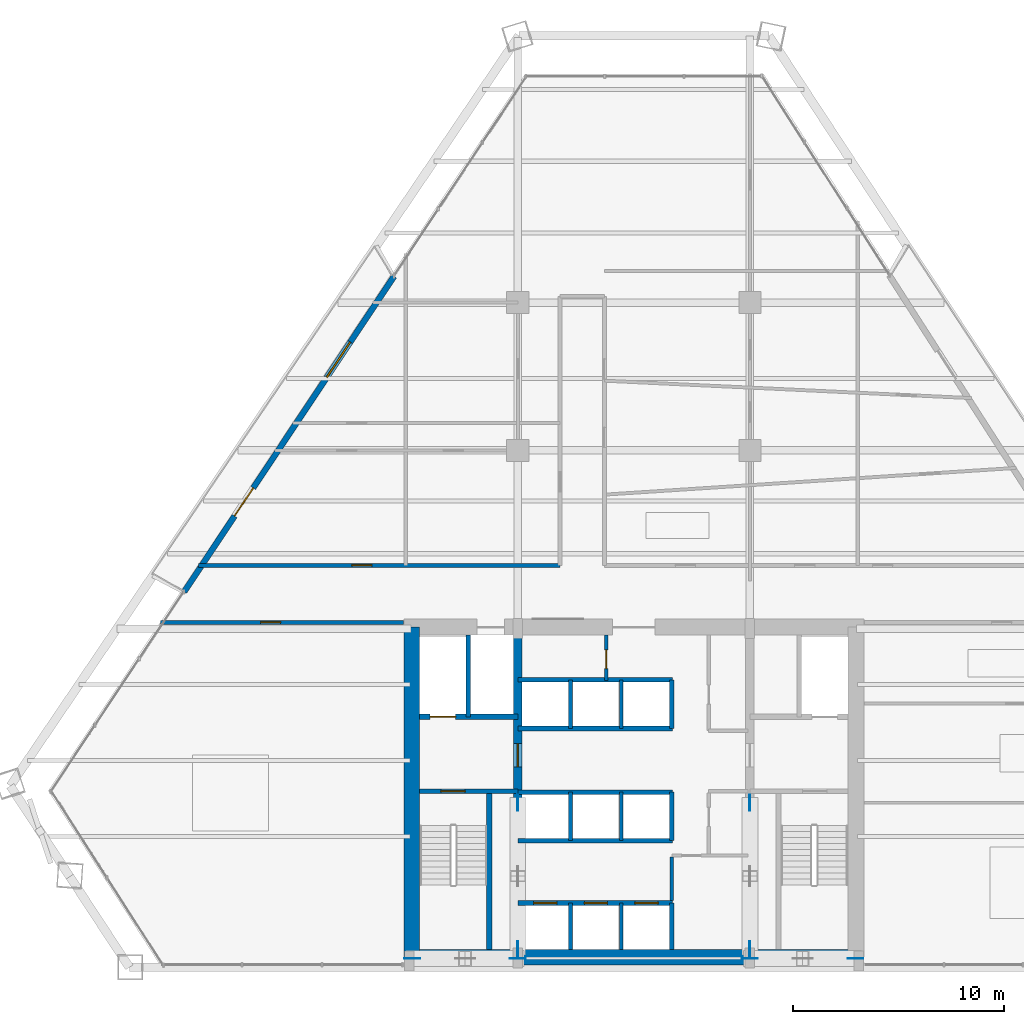
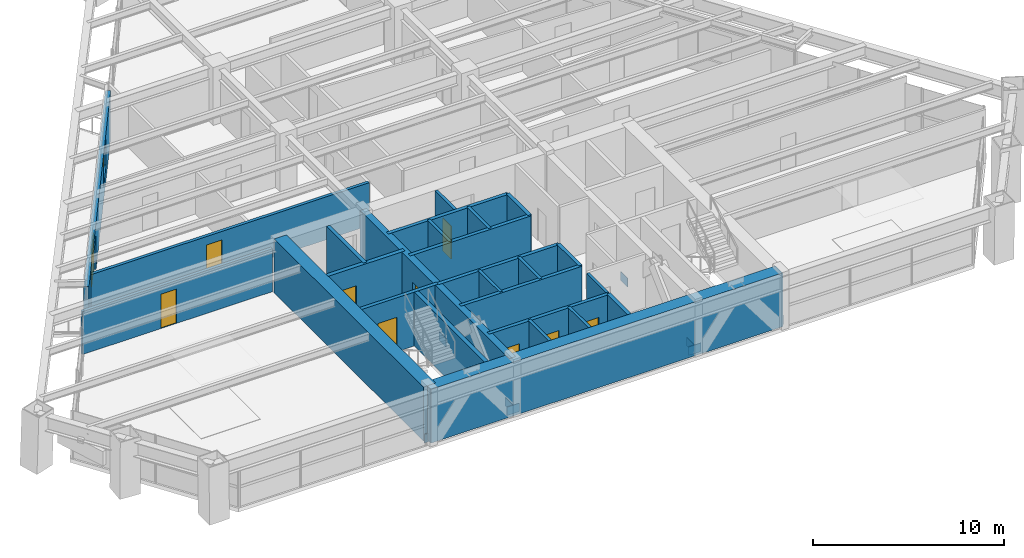
# One storey, part 10 of 14: 26 walls, 10 doors, 8 plates, 1 window, 11 openings.
"""IFC4 building model written with IfcOpenShell, lengths in metres."""

from ifc_helpers import new_model, si_unit, direction, frame, frame_2d, origin, origin_2d, place, context, subcontext, project, spatial, rectangle, extrude, source, transform, mapped, material, layer, layer_set, type_object, type_shapes, element, fill, save


model = new_model("IFC4")

# Units and contexts
model_context = context("Model", 3, precision=1e-05, world=origin(), true_north=direction((0.0, 1.0)))
body_context = subcontext(model_context, "Body", "Model", "MODEL_VIEW")
ifc_project = project(units=[si_unit("LENGTHUNIT", "METRE"), si_unit("AREAUNIT", "SQUARE_METRE"), si_unit("VOLUMEUNIT", "CUBIC_METRE"), si_unit("PLANEANGLEUNIT", "RADIAN"), si_unit("MASSUNIT", "GRAM", prefix="KILO")], contexts=[model_context])

# Site, building, storey
site_placement = place(None, origin())
site = spatial("IfcSite", under=ifc_project, at=site_placement, CompositionType="ELEMENT")
building_placement = place(site_placement, origin())
building = spatial("IfcBuilding", under=site, at=building_placement, Name="Varnakhor Terracotta Tower", CompositionType="ELEMENT")
storey_placement = place(building_placement, frame((0.0, 0.0, 113.60009765625)))
storey = spatial("IfcBuildingStorey", under=building, at=storey_placement, Name="L28", CompositionType="ELEMENT", Elevation=113.60009765625)

# Plates
ifc_material_1 = material(Name="Steel S460", Category="steel")
ifc_layer_1 = layer(ifc_material_1, 0.050048828125, Name="Steel S460")
ifc_layer_set_1 = layer_set([ifc_layer_1], Name="Steel S460")
plate_type = type_object("IfcPlateType", Name="PLT-GUSSET-50", PredefinedType="USERDEFINED", material=ifc_layer_set_1)
shared_shape_1 = source(origin(), body_context, "Body", "SweptSolid", [
    extrude(rectangle(XDim=0.75, YDim=0.0400390625, at=origin_2d()), origin(), (0.0, 0.0, 1.0), 0.550048828125),
])
type_shapes(plate_type, [shared_shape_1])
for number, where, z_axis, x_axis, name in (
    (1, (-10.5, 0.419921875, -0.09521484375), (0.0, 0.0, 1.0), (1.0, 0.0, 0.0), "L28 Core Brace Embed Plate CSWA"),
    (2, (-5.5, 0.419921875, -0.09521484375), (0.0, 0.0, 1.0), (1.0, 0.0, 0.0), "L28 Core Brace Embed Plate CSWB"),
    (3, (5.5, 0.419921875, -0.09521484375), (0.0, 0.0, 1.0), (1.0, 0.0, 0.0), "L28 Core Brace Embed Plate CSEA"),
    (4, (10.5, 0.419921875, -0.09521484375), (0.0, 0.0, 1.0), (1.0, 0.0, 0.0), "L28 Core Brace Embed Plate CSEB"),
    (5, (-5.5, 0.85009765625, -0.09521484375), (0.0, 0.0, 1.0), (0.0, 1.0, 0.0), "L28 Core Brace Embed Plate CWWA"),
    (6, (-5.5, 7.800048828125, -0.09521484375), (0.0, 0.0, 1.0), (0.0, 1.0, 0.0), "L28 Core Brace Embed Plate CWWB"),
    (7, (5.5, 0.85009765625, -0.09521484375), (0.0, 0.0, 1.0), (0.0, 1.0, 0.0), "L28 Core Brace Embed Plate CWEA"),
    (8, (5.5, 7.800048828125, -0.09521484375), (0.0, 0.0, 1.0), (0.0, 1.0, 0.0), "L28 Core Brace Embed Plate CWEB"),
):
    element("IfcPlate", number, at=place(storey_placement, frame(where, z_axis=z_axis, x_axis=x_axis)), inside=storey, type_object=plate_type, Name=name, ObjectType="GUSSET PLATE", PredefinedType="USERDEFINED", context=body_context, shape_type="MappedRepresentation", body=[
        mapped(shared_shape_1, transform((0.0, 0.0, 0.0), scale=1.0)),
    ])

# Walls
ifc_material_2 = material(Name="Concrete C60/75", Category="concrete")
ifc_layer_2 = layer(ifc_material_2, 0.75, Name="Concrete C60/75")
ifc_layer_set_2 = layer_set([ifc_layer_2], Name="Concrete C60/75")
wall_type_1 = type_object("IfcWallType", Name="WAL-CORE-750", PredefinedType="SHEAR", material=ifc_layer_set_2)
wall_1_placement = place(storey_placement, frame((-10.64990234375, 0.47509765625, 0.0), z_axis=(0.0, 0.0, 1.0), x_axis=(1.0, 0.0, 0.0)))
element("IfcWall", 9, at=wall_1_placement, inside=storey, type_object=wall_type_1, Name="L28 South Core Shear Wall", PredefinedType="SHEAR", context=body_context, shape_type="SweptSolid", body=[
    extrude(rectangle(XDim=21.2998046875, YDim=0.75, at=frame_2d((10.64990234375, 0.0))), origin(), (0.0, 0.0, 1.0), 3.449951171875),
])
wall_2_placement = place(storey_placement, frame((-10.52490234375, 0.47509765625, 0.0), z_axis=(0.0, 0.0, 1.0), x_axis=(0.0, 1.0, 0.0)))
element("IfcWall", 10, at=wall_2_placement, inside=storey, type_object=wall_type_1, Name="L28 West Core Shear Wall", PredefinedType="SHEAR", context=body_context, shape_type="SweptSolid", body=[
    extrude(rectangle(XDim=15.64990234375, YDim=0.75, at=frame_2d((7.824951171875, 0.0))), origin(), (0.0, 0.0, 1.0), 3.449951171875),
])

# Wall, opening, door
ifc_material_3 = material(Name="Concrete C50/60", Category="concrete")
ifc_layer_3 = layer(ifc_material_3, 0.39990234375, Name="Concrete C50/60")
ifc_layer_set_3 = layer_set([ifc_layer_3], Name="Concrete C50/60")
wall_type_2 = type_object("IfcWallType", Name="WAL-CORE-WEB-400", PredefinedType="SHEAR", material=ifc_layer_set_3)
wall_3_placement = place(storey_placement, frame((-5.5, 0.47509765625, 0.0), z_axis=(0.0, 0.0, 1.0), x_axis=(0.0, 1.0, 0.0)))
wall_3 = element("IfcWall", 11, at=wall_3_placement, inside=storey, type_object=wall_type_2, Name="L28 West Core Web Shear Wall", PredefinedType="SHEAR", context=body_context, shape_type="SweptSolid", body=[
    extrude(rectangle(XDim=15.64990234375, YDim=0.39990234375, at=frame_2d((7.824951171875, 0.0))), origin(), (0.0, 0.0, 1.0), 3.449951171875),
])
opening_1_placement = place(wall_3_placement, frame((9.02490234375, 0.0, 0.0)))
opening_1 = element("IfcOpeningElement", 12, at=opening_1_placement, cuts=wall_3, Name="Opening DR-25", PredefinedType="OPENING", context=body_context, shape_type="SweptSolid", body=[
    extrude(rectangle(XDim=1.10009765625, YDim=2.199951171875, at=frame_2d((0.550048828125, 1.10009765625))), frame((0.0, 0.2099609375, 0.0), z_axis=(0.0, -1.0, 0.0), x_axis=(1.0, 0.0, 0.0)), (0.0, 0.0, 1.0), 0.419921875),
])
ifc_material_4 = material(Name="Firefighting Lobby Self-Closing Fire Door", Category="steel")
door_type_1 = type_object("IfcDoorType", Name="DR-FFL-1100X2200", OperationType="NOTDEFINED", PredefinedType="DOOR", material=ifc_material_4)
shared_shape_2 = source(origin(), body_context, "Body", "SweptSolid", [
    extrude(rectangle(XDim=1.10009765625, YDim=2.199951171875, at=frame_2d((0.550048828125, 1.10009765625))), frame((0.0, 0.02490234375, 0.0), z_axis=(0.0, -1.0, 0.0), x_axis=(1.0, 0.0, 0.0)), (0.0, 0.0, 1.0), 0.050048828125),
])
type_shapes(door_type_1, [shared_shape_2])
door_1_placement = place(opening_1_placement, origin())
door_1 = element("IfcDoor", 13, at=door_1_placement, inside=storey, type_object=door_type_1, Name="L28 West Firefighting Lobby Door", OperationType="SINGLE_SWING_RIGHT", OverallHeight=2.199951171875, OverallWidth=1.10009765625, PredefinedType="DOOR", context=body_context, shape_type="MappedRepresentation", body=[
    mapped(shared_shape_2, transform((0.0, 0.0, 0.0), scale=1.0)),
])
fill(opening_1, door_1)

ifc_material_5 = material(Name="Fire-Rated Gypsum Stud Partition", Category="gypsum")
ifc_layer_4 = layer(ifc_material_5, 0.18505859375, Name="Fire-Rated Gypsum Stud Partition")
ifc_layer_set_4 = layer_set([ifc_layer_4], Name="Fire-Rated Gypsum Stud Partition")
wall_type_3 = type_object("IfcWallType", Name="WAL-CORR-185", PredefinedType="PARTITIONING", material=ifc_layer_set_4)
wall_4_placement = place(storey_placement, frame((-22.4287109375, 16.35009765625, 0.0), z_axis=(0.0, 0.0, 1.0), x_axis=(1.0, 0.0, 0.0)))
wall_4 = element("IfcWall", 14, at=wall_4_placement, inside=storey, type_object=wall_type_3, Name="L28 South West Corridor Wall", PredefinedType="PARTITIONING", context=body_context, shape_type="SweptSolid", body=[
    extrude(rectangle(XDim=11.5087890625, YDim=0.18505859375, at=frame_2d((5.75439453125, 0.0))), origin(), (0.0, 0.0, 1.0), 2.746826171875),
])
opening_2_placement = place(wall_4_placement, frame((4.73779296875, 0.0, 0.0)))
opening_2 = element("IfcOpeningElement", 15, at=opening_2_placement, cuts=wall_4, Name="Opening DR-94", PredefinedType="OPENING", context=body_context, shape_type="SweptSolid", body=[
    extrude(rectangle(XDim=0.949951171875, YDim=2.199951171875, at=frame_2d((0.47509765625, 1.10009765625))), frame((0.0, 0.1025390625, 0.0), z_axis=(0.0, -1.0, 0.0), x_axis=(1.0, 0.0, 0.0)), (0.0, 0.0, 1.0), 0.205078125),
])
ifc_material_6 = material(Name="Acoustic Glazed-Vision Timber Office Door", Category="wood")
door_type_2 = type_object("IfcDoorType", Name="DR-OFF-950X2200", OperationType="NOTDEFINED", PredefinedType="DOOR", material=ifc_material_6)
shared_shape_3 = source(origin(), body_context, "Body", "SweptSolid", [
    extrude(rectangle(XDim=0.949951171875, YDim=2.199951171875, at=frame_2d((0.47509765625, 1.10009765625))), frame((0.0, 0.02490234375, 0.0), z_axis=(0.0, -1.0, 0.0), x_axis=(1.0, 0.0, 0.0)), (0.0, 0.0, 1.0), 0.050048828125),
])
type_shapes(door_type_2, [shared_shape_3])
door_2_placement = place(opening_2_placement, origin())
door_2 = element("IfcDoor", 16, at=door_2_placement, inside=storey, type_object=door_type_2, Name="L28 SW Suite Door", OperationType="SINGLE_SWING_LEFT", OverallHeight=2.199951171875, OverallWidth=0.949951171875, PredefinedType="DOOR", context=body_context, shape_type="MappedRepresentation", body=[
    mapped(shared_shape_3, transform((0.0, 0.0, 0.0), scale=1.0)),
])
fill(opening_2, door_2)

wall_5_placement = place(storey_placement, frame((-20.6328125, 19.050048828125, 0.0), z_axis=(0.0, 0.0, 1.0), x_axis=(1.0, 0.0, 0.0)))
wall_5 = element("IfcWall", 17, at=wall_5_placement, inside=storey, type_object=wall_type_3, Name="L28 Corridor North West Wall", PredefinedType="PARTITIONING", context=body_context, shape_type="SweptSolid", body=[
    extrude(rectangle(XDim=17.1328125, YDim=0.18505859375, at=frame_2d((8.56640625, 0.0))), origin(), (0.0, 0.0, 1.0), 2.746826171875),
])
opening_3_placement = place(wall_5_placement, frame((7.268798828125, 0.0, 0.0)))
opening_3 = element("IfcOpeningElement", 18, at=opening_3_placement, cuts=wall_5, Name="Opening DR-94", PredefinedType="OPENING", context=body_context, shape_type="SweptSolid", body=[
    extrude(rectangle(XDim=0.949951171875, YDim=2.199951171875, at=frame_2d((0.47509765625, 1.10009765625))), frame((0.0, 0.1025390625, 0.0), z_axis=(0.0, -1.0, 0.0), x_axis=(1.0, 0.0, 0.0)), (0.0, 0.0, 1.0), 0.205078125),
])
door_3_placement = place(opening_3_placement, origin())
door_3 = element("IfcDoor", 19, at=door_3_placement, inside=storey, type_object=door_type_2, Name="L28 West Workplace Door", OperationType="SINGLE_SWING_LEFT", OverallHeight=2.199951171875, OverallWidth=0.949951171875, PredefinedType="DOOR", context=body_context, shape_type="MappedRepresentation", body=[
    mapped(shared_shape_3, transform((0.0, 0.0, 0.0), scale=1.0)),
])
fill(opening_3, door_3)

# Wall, openings, door, window
ifc_material_7 = material(Name="Extruded Architectural Terracotta Assembly", Category="masonry")
ifc_layer_5 = layer(ifc_material_7, 0.280029296875, Name="Extruded Architectural Terracotta Assembly")
ifc_layer_set_5 = layer_set([ifc_layer_5], Name="Extruded Architectural Terracotta Assembly")
wall_type_4 = type_object("IfcWallType", Name="WAL-EXT-TERRACOTTA-280", PredefinedType="SOLIDWALL", material=ifc_layer_set_5)
wall_6_placement = place(storey_placement, frame((-21.30859375, 17.79931640625, 0.0), z_axis=(0.0, 0.0, 1.0), x_axis=(0.553849316162, 0.83261691971, 0.0)))
wall_6 = element("IfcWall", 20, at=wall_6_placement, inside=storey, type_object=wall_type_4, Name="L28 W Loggia Insulated Terracotta Wall", PredefinedType="SOLIDWALL", context=body_context, shape_type="SweptSolid", body=[
    extrude(rectangle(XDim=17.9501953125, YDim=0.280029296875, at=frame_2d((8.97509765625, 0.0))), origin(), (0.0, 0.0, 1.0), 3.02978515625),
])
opening_4_placement = place(wall_6_placement, frame((4.30810546875, 0.0, 0.0)))
opening_4 = element("IfcOpeningElement", 21, at=opening_4_placement, cuts=wall_6, Name="Opening DR-62", PredefinedType="OPENING", context=body_context, shape_type="SweptSolid", body=[
    extrude(rectangle(XDim=1.60009765625, YDim=2.35009765625, at=frame_2d((0.800048828125, 1.175048828125))), frame((0.0, 0.14990234375, 0.0), z_axis=(0.0, -1.0, 0.0), x_axis=(1.0, 0.0, 0.0)), (0.0, 0.0, 1.0), 0.300048828125),
])
opening_5_placement = place(wall_6_placement, frame((12.2060546875, 0.0, 0.89990234375)))
opening_5 = element("IfcOpeningElement", 22, at=opening_5_placement, cuts=wall_6, Name="Opening WN-26", PredefinedType="OPENING", context=body_context, shape_type="SweptSolid", body=[
    extrude(rectangle(XDim=2.0, YDim=1.85009765625, at=frame_2d((1.0, 0.925048828125))), frame((0.0, 0.14990234375, 0.0), z_axis=(0.0, -1.0, 0.0), x_axis=(1.0, 0.0, 0.0)), (0.0, 0.0, 1.0), 0.300048828125),
])
ifc_material_8 = material(Name="Thermally Broken Sliding Glass Loggia Door", Category="glass")
door_type_3 = type_object("IfcDoorType", Name="DR-EXT-LOGGIA-1600X2350", OperationType="NOTDEFINED", PredefinedType="DOOR", material=ifc_material_8)
shared_shape_4 = source(origin(), body_context, "Body", "SweptSolid", [
    extrude(rectangle(XDim=1.60009765625, YDim=2.35009765625, at=frame_2d((0.800048828125, 1.175048828125))), frame((0.0, 0.02490234375, 0.0), z_axis=(0.0, -1.0, 0.0), x_axis=(1.0, 0.0, 0.0)), (0.0, 0.0, 1.0), 0.050048828125),
])
type_shapes(door_type_3, [shared_shape_4])
door_4_placement = place(opening_4_placement, origin())
door_4 = element("IfcDoor", 23, at=door_4_placement, inside=storey, type_object=door_type_3, Name="L28 W Recessed Loggia Sliding Door", OperationType="SLIDING_TO_LEFT", OverallHeight=2.35009765625, OverallWidth=1.60009765625, PredefinedType="DOOR", context=body_context, shape_type="MappedRepresentation", body=[
    mapped(shared_shape_4, transform((0.0, 0.0, 0.0), scale=1.0)),
])
fill(opening_4, door_4)
ifc_material_9 = material(Name="Solar-Control Low-E Insulated Glass Unit", Category="glass")
window_type = type_object("IfcWindowType", Name="WIN-OFF-2200X2100", PartitioningType="SINGLE_PANEL", PredefinedType="WINDOW", material=ifc_material_9)
shared_shape_5 = source(origin(), body_context, "Body", "SweptSolid", [
    extrude(rectangle(XDim=2.0, YDim=1.85009765625, at=frame_2d((1.0, 0.925048828125))), frame((0.0, 0.030029296875, 0.0), z_axis=(0.0, -1.0, 0.0), x_axis=(1.0, 0.0, 0.0)), (0.0, 0.0, 1.0), 0.06005859375),
])
type_shapes(window_type, [shared_shape_5])
window_placement = place(opening_5_placement, origin())
window = element("IfcWindow", 24, at=window_placement, inside=storey, type_object=window_type, Name="L28 W Facet Punched Window", OverallHeight=1.85009765625, OverallWidth=2.0, PartitioningType="SINGLE_PANEL", PredefinedType="WINDOW", context=body_context, shape_type="MappedRepresentation", body=[
    mapped(shared_shape_5, transform((0.0, 0.0, 0.0), scale=1.0)),
])
fill(opening_5, window)

# Wall, opening, door
ifc_material_10 = material(Name="Concrete C40/50", Category="concrete")
ifc_layer_6 = layer(ifc_material_10, 0.219970703125, Name="Concrete C40/50")
ifc_layer_set_6 = layer_set([ifc_layer_6], Name="Concrete C40/50")
wall_type_5 = type_object("IfcWallType", Name="WAL-FFLOBBY-220", PredefinedType="SOLIDWALL", material=ifc_layer_set_6)
wall_7_placement = place(storey_placement, frame((-5.5, 8.35009765625, 0.0), z_axis=(0.0, 0.0, 1.0), x_axis=(-1.0, 0.0, 0.0)))
wall_7 = element("IfcWall", 25, at=wall_7_placement, inside=storey, type_object=wall_type_5, Name="L28 West Firefighting Lobby Stair Wall", PredefinedType="SOLIDWALL", context=body_context, shape_type="SweptSolid", body=[
    extrude(rectangle(XDim=4.64990234375, YDim=0.219970703125, at=frame_2d((2.324951171875, 0.0))), origin(), (0.0, 0.0, 1.0), 3.449951171875),
])
opening_6_placement = place(wall_7_placement, frame((2.5, 0.0, 0.0)))
opening_6 = element("IfcOpeningElement", 26, at=opening_6_placement, cuts=wall_7, Name="Opening DR-34", PredefinedType="OPENING", context=body_context, shape_type="SweptSolid", body=[
    extrude(rectangle(XDim=1.14990234375, YDim=2.199951171875, at=frame_2d((0.574951171875, 1.10009765625))), frame((0.0, 0.1201171875, 0.0), z_axis=(0.0, -1.0, 0.0), x_axis=(1.0, 0.0, 0.0)), (0.0, 0.0, 1.0), 0.239990234375),
])
ifc_material_11 = material(Name="Self-Closing Smoke-Sealed Steel Fire Door", Category="steel")
door_type_4 = type_object("IfcDoorType", Name="DR-STAIR-1150X2200", OperationType="NOTDEFINED", PredefinedType="DOOR", material=ifc_material_11)
shared_shape_6 = source(origin(), body_context, "Body", "SweptSolid", [
    extrude(rectangle(XDim=1.14990234375, YDim=2.199951171875, at=frame_2d((0.574951171875, 1.10009765625))), frame((0.0, 0.02490234375, 0.0), z_axis=(0.0, -1.0, 0.0), x_axis=(1.0, 0.0, 0.0)), (0.0, 0.0, 1.0), 0.050048828125),
])
type_shapes(door_type_4, [shared_shape_6])
door_5_placement = place(opening_6_placement, origin())
door_5 = element("IfcDoor", 27, at=door_5_placement, inside=storey, type_object=door_type_4, Name="L28 Exit Stair ST-1 Fire Door", OperationType="SINGLE_SWING_LEFT", OverallHeight=2.199951171875, OverallWidth=1.14990234375, PredefinedType="DOOR", context=body_context, shape_type="MappedRepresentation", body=[
    mapped(shared_shape_6, transform((0.0, 0.0, 0.0), scale=1.0)),
])
fill(opening_6, door_5)

# Walls
ifc_layer_7 = layer(ifc_material_10, 0.179931640625, Name="Concrete C40/50")
ifc_layer_set_7 = layer_set([ifc_layer_7], Name="Concrete C40/50")
wall_type_6 = type_object("IfcWallType", Name="WAL-SHAFT-180", PredefinedType="SOLIDWALL", material=ifc_layer_set_7)
for number, where, z_axis, x_axis, name in (
    (28, (-3.0, 0.85009765625, 0.0), (0.0, 0.0, 1.0), (0.0, 1.0, 0.0), "L28 PL-1A Divider"),
    (29, (-0.60009765625, 0.85009765625, 0.0), (0.0, 0.0, 1.0), (0.0, 1.0, 0.0), "L28 PL-1B Divider"),
):
    element("IfcWall", number, at=place(storey_placement, frame(where, z_axis=z_axis, x_axis=x_axis)), inside=storey, type_object=wall_type_6, Name=name, PredefinedType="SOLIDWALL", context=body_context, shape_type="SweptSolid", body=[
        extrude(rectangle(XDim=2.199951171875, YDim=0.179931640625, at=frame_2d((1.10009765625, 0.0))), origin(), (0.0, 0.0, 1.0), 3.449951171875),
    ])
for number, where, z_axis, x_axis, name in (
    (30, (-3.0, 6.0, 0.0), (0.0, 0.0, 1.0), (0.0, 1.0, 0.0), "L28 PL-2A Divider"),
    (31, (-0.60009765625, 6.0, 0.0), (0.0, 0.0, 1.0), (0.0, 1.0, 0.0), "L28 PL-2B Divider"),
    (32, (-3.0, 11.320068359375, 0.0), (0.0, 0.0, 1.0), (0.0, 1.0, 0.0), "L28 PL-3A Divider"),
    (33, (-0.60009765625, 11.320068359375, 0.0), (0.0, 0.0, 1.0), (0.0, 1.0, 0.0), "L28 PL-3B Divider"),
):
    element("IfcWall", number, at=place(storey_placement, frame(where, z_axis=z_axis, x_axis=x_axis)), inside=storey, type_object=wall_type_6, Name=name, PredefinedType="SOLIDWALL", context=body_context, shape_type="SweptSolid", body=[
        extrude(rectangle(XDim=2.300048828125, YDim=0.179931640625, at=frame_2d((1.14990234375, 0.0))), origin(), (0.0, 0.0, 1.0), 3.449951171875),
    ])
ifc_layer_8 = layer(ifc_material_10, 0.219970703125, Name="Concrete C40/50")
ifc_layer_set_8 = layer_set([ifc_layer_8], Name="Concrete C40/50")
wall_type_7 = type_object("IfcWallType", Name="WAL-SHAFT-220", PredefinedType="SOLIDWALL", material=ifc_layer_set_8)
wall_8_placement = place(storey_placement, frame((-7.840087890625, 11.8701171875, 0.0), z_axis=(0.0, 0.0, 1.0), x_axis=(0.0, 1.0, 0.0)))
element("IfcWall", 34, at=wall_8_placement, inside=storey, type_object=wall_type_7, Name="L28 Lift FFL-1 and SVL-1 Divider Wall", PredefinedType="SOLIDWALL", context=body_context, shape_type="SweptSolid", body=[
    extrude(rectangle(XDim=3.8798828125, YDim=0.219970703125, at=frame_2d((1.93994140625, 0.0))), origin(), (0.0, 0.0, 1.0), 3.449951171875),
])

# Wall, openings, doors
wall_9_placement = place(storey_placement, frame((-5.5, 3.050048828125, 0.0), z_axis=(0.0, 0.0, 1.0), x_axis=(1.0, 0.0, 0.0)))
wall_9 = element("IfcWall", 35, at=wall_9_placement, inside=storey, type_object=wall_type_7, Name="L28 Bank 1 Lift Shaft Wall", PredefinedType="SOLIDWALL", context=body_context, shape_type="SweptSolid", body=[
    extrude(rectangle(XDim=7.320068359375, YDim=0.219970703125, at=frame_2d((3.66015625, 0.0))), origin(), (0.0, 0.0, 1.0), 3.449951171875),
])
opening_7_placement = place(wall_9_placement, frame((0.75, 0.0, 0.0)))
opening_7 = element("IfcOpeningElement", 36, at=opening_7_placement, cuts=wall_9, Name="Opening LD-01", PredefinedType="OPENING", context=body_context, shape_type="SweptSolid", body=[
    extrude(rectangle(XDim=1.10009765625, YDim=2.199951171875, at=frame_2d((0.550048828125, 1.10009765625))), frame((0.0, 0.1201171875, 0.0), z_axis=(0.0, -1.0, 0.0), x_axis=(1.0, 0.0, 0.0)), (0.0, 0.0, 1.0), 0.239990234375),
])
opening_8_placement = place(wall_9_placement, frame((3.14990234375, 0.0, 0.0)))
opening_8 = element("IfcOpeningElement", 37, at=opening_8_placement, cuts=wall_9, Name="Opening LD-01", PredefinedType="OPENING", context=body_context, shape_type="SweptSolid", body=[
    extrude(rectangle(XDim=1.10009765625, YDim=2.199951171875, at=frame_2d((0.550048828125, 1.10009765625))), frame((0.0, 0.1201171875, 0.0), z_axis=(0.0, -1.0, 0.0), x_axis=(1.0, 0.0, 0.0)), (0.0, 0.0, 1.0), 0.239990234375),
])
opening_9_placement = place(wall_9_placement, frame((5.550048828125, 0.0, 0.0)))
opening_9 = element("IfcOpeningElement", 38, at=opening_9_placement, cuts=wall_9, Name="Opening LD-01", PredefinedType="OPENING", context=body_context, shape_type="SweptSolid", body=[
    extrude(rectangle(XDim=1.10009765625, YDim=2.199951171875, at=frame_2d((0.550048828125, 1.10009765625))), frame((0.0, 0.1201171875, 0.0), z_axis=(0.0, -1.0, 0.0), x_axis=(1.0, 0.0, 0.0)), (0.0, 0.0, 1.0), 0.239990234375),
])
ifc_material_12 = material(Name="Brushed Stainless Steel Sliding Lift Landing Door", Category="steel")
door_type_5 = type_object("IfcDoorType", Name="LD-PASS-1100X2200", OperationType="NOTDEFINED", PredefinedType="DOOR", material=ifc_material_12)
shared_shape_7 = source(origin(), body_context, "Body", "SweptSolid", [
    extrude(rectangle(XDim=1.10009765625, YDim=2.199951171875, at=frame_2d((0.550048828125, 1.10009765625))), frame((0.0, 0.02490234375, 0.0), z_axis=(0.0, -1.0, 0.0), x_axis=(1.0, 0.0, 0.0)), (0.0, 0.0, 1.0), 0.050048828125),
])
type_shapes(door_type_5, [shared_shape_7])
door_6_placement = place(opening_7_placement, origin())
door_6 = element("IfcDoor", 39, at=door_6_placement, inside=storey, type_object=door_type_5, Name="L28 Passenger Lift PL-1A Landing Door", OperationType="SLIDING_TO_RIGHT", OverallHeight=2.199951171875, OverallWidth=1.10009765625, PredefinedType="DOOR", context=body_context, shape_type="MappedRepresentation", body=[
    mapped(shared_shape_7, transform((0.0, 0.0, 0.0), scale=1.0)),
])
fill(opening_7, door_6)
door_7_placement = place(opening_8_placement, origin())
door_7 = element("IfcDoor", 40, at=door_7_placement, inside=storey, type_object=door_type_5, Name="L28 Passenger Lift PL-1B Landing Door", OperationType="SLIDING_TO_RIGHT", OverallHeight=2.199951171875, OverallWidth=1.10009765625, PredefinedType="DOOR", context=body_context, shape_type="MappedRepresentation", body=[
    mapped(shared_shape_7, transform((0.0, 0.0, 0.0), scale=1.0)),
])
fill(opening_8, door_7)
door_8_placement = place(opening_9_placement, origin())
door_8 = element("IfcDoor", 41, at=door_8_placement, inside=storey, type_object=door_type_5, Name="L28 Passenger Lift PL-1C Landing Door", OperationType="SLIDING_TO_RIGHT", OverallHeight=2.199951171875, OverallWidth=1.10009765625, PredefinedType="DOOR", context=body_context, shape_type="MappedRepresentation", body=[
    mapped(shared_shape_7, transform((0.0, 0.0, 0.0), scale=1.0)),
])
fill(opening_9, door_8)

# Walls
wall_10_placement = place(storey_placement, frame((1.800048828125, 0.85009765625, 0.0), z_axis=(0.0, 0.0, 1.0), x_axis=(0.0, 1.0, 0.0)))
element("IfcWall", 42, at=wall_10_placement, inside=storey, type_object=wall_type_7, Name="L28 Bank 1 East Shaft Wall", PredefinedType="SOLIDWALL", context=body_context, shape_type="SweptSolid", body=[
    extrude(rectangle(XDim=2.199951171875, YDim=0.219970703125, at=frame_2d((1.10009765625, 0.0))), origin(), (0.0, 0.0, 1.0), 3.449951171875),
])
for number, where, z_axis, x_axis, name in (
    (43, (-5.5, 6.0, 0.0), (0.0, 0.0, 1.0), (1.0, 0.0, 0.0), "L28 Bank 2 South Shaft Wall"),
    (44, (-5.5, 8.300048828125, 0.0), (0.0, 0.0, 1.0), (1.0, 0.0, 0.0), "L28 Bank 2 North Shaft Wall"),
):
    element("IfcWall", number, at=place(storey_placement, frame(where, z_axis=z_axis, x_axis=x_axis)), inside=storey, type_object=wall_type_7, Name=name, PredefinedType="SOLIDWALL", context=body_context, shape_type="SweptSolid", body=[
        extrude(rectangle(XDim=7.320068359375, YDim=0.219970703125, at=frame_2d((3.66015625, 0.0))), origin(), (0.0, 0.0, 1.0), 3.449951171875),
    ])
wall_11_placement = place(storey_placement, frame((1.800048828125, 6.0, 0.0), z_axis=(0.0, 0.0, 1.0), x_axis=(0.0, 1.0, 0.0)))
element("IfcWall", 45, at=wall_11_placement, inside=storey, type_object=wall_type_7, Name="L28 Bank 2 East Shaft Wall", PredefinedType="SOLIDWALL", context=body_context, shape_type="SweptSolid", body=[
    extrude(rectangle(XDim=2.300048828125, YDim=0.219970703125, at=frame_2d((1.14990234375, 0.0))), origin(), (0.0, 0.0, 1.0), 3.449951171875),
])
for number, where, z_axis, x_axis, name in (
    (46, (-5.5, 11.320068359375, 0.0), (0.0, 0.0, 1.0), (1.0, 0.0, 0.0), "L28 Bank 3 South Shaft Wall"),
    (47, (-5.5, 13.6201171875, 0.0), (0.0, 0.0, 1.0), (1.0, 0.0, 0.0), "L28 Bank 3 North Shaft Wall"),
):
    element("IfcWall", number, at=place(storey_placement, frame(where, z_axis=z_axis, x_axis=x_axis)), inside=storey, type_object=wall_type_7, Name=name, PredefinedType="SOLIDWALL", context=body_context, shape_type="SweptSolid", body=[
        extrude(rectangle(XDim=7.320068359375, YDim=0.219970703125, at=frame_2d((3.66015625, 0.0))), origin(), (0.0, 0.0, 1.0), 3.449951171875),
    ])
wall_12_placement = place(storey_placement, frame((1.800048828125, 11.320068359375, 0.0), z_axis=(0.0, 0.0, 1.0), x_axis=(0.0, 1.0, 0.0)))
element("IfcWall", 48, at=wall_12_placement, inside=storey, type_object=wall_type_7, Name="L28 Bank 3 East Shaft Wall", PredefinedType="SOLIDWALL", context=body_context, shape_type="SweptSolid", body=[
    extrude(rectangle(XDim=2.300048828125, YDim=0.219970703125, at=frame_2d((1.14990234375, 0.0))), origin(), (0.0, 0.0, 1.0), 3.449951171875),
])
ifc_layer_9 = layer(ifc_material_10, 0.25, Name="Concrete C40/50")
ifc_layer_set_9 = layer_set([ifc_layer_9], Name="Concrete C40/50")
wall_type_8 = type_object("IfcWallType", Name="WAL-SHAFT-250", PredefinedType="SOLIDWALL", material=ifc_layer_set_9)
wall_13_placement = place(storey_placement, frame((-6.85009765625, 0.85009765625, 0.0), z_axis=(0.0, 0.0, 1.0), x_axis=(0.0, 1.0, 0.0)))
element("IfcWall", 49, at=wall_13_placement, inside=storey, type_object=wall_type_8, Name="L28 Stair ST-1 Bearing Shaft Wall", PredefinedType="SOLIDWALL", context=body_context, shape_type="SweptSolid", body=[
    extrude(rectangle(XDim=7.5, YDim=0.25, at=frame_2d((3.75, 0.0))), origin(), (0.0, 0.0, 1.0), 3.449951171875),
])

# Wall, opening, door
wall_14_placement = place(storey_placement, frame((-5.5, 11.8701171875, 0.0), z_axis=(0.0, 0.0, 1.0), x_axis=(-1.0, 0.0, 0.0)))
wall_14 = element("IfcWall", 50, at=wall_14_placement, inside=storey, type_object=wall_type_8, Name="L28 Lift FFL-1 Shaft Front Wall", PredefinedType="SOLIDWALL", context=body_context, shape_type="SweptSolid", body=[
    extrude(rectangle(XDim=4.64990234375, YDim=0.25, at=frame_2d((2.324951171875, 0.0))), origin(), (0.0, 0.0, 1.0), 3.449951171875),
])
opening_10_placement = place(wall_14_placement, frame((2.949951171875, 0.0, 0.0)))
opening_10 = element("IfcOpeningElement", 51, at=opening_10_placement, cuts=wall_14, Name="Opening LD-02", PredefinedType="OPENING", context=body_context, shape_type="SweptSolid", body=[
    extrude(rectangle(XDim=1.199951171875, YDim=2.25, at=frame_2d((0.60009765625, 1.125))), frame((0.0, 0.135009765625, 0.0), z_axis=(0.0, -1.0, 0.0), x_axis=(1.0, 0.0, 0.0)), (0.0, 0.0, 1.0), 0.27001953125),
])
ifc_material_13 = material(Name="Firefighting Stretcher Sliding Lift Landing Door", Category="steel")
door_type_6 = type_object("IfcDoorType", Name="LD-FFL-1200X2250", OperationType="NOTDEFINED", PredefinedType="DOOR", material=ifc_material_13)
shared_shape_8 = source(origin(), body_context, "Body", "SweptSolid", [
    extrude(rectangle(XDim=1.199951171875, YDim=2.25, at=frame_2d((0.60009765625, 1.125))), frame((0.0, 0.02490234375, 0.0), z_axis=(0.0, -1.0, 0.0), x_axis=(1.0, 0.0, 0.0)), (0.0, 0.0, 1.0), 0.050048828125),
])
type_shapes(door_type_6, [shared_shape_8])
door_9_placement = place(opening_10_placement, origin())
door_9 = element("IfcDoor", 52, at=door_9_placement, inside=storey, type_object=door_type_6, Name="L28 Firefighting Lift FFL-1 Landing Door", OperationType="SLIDING_TO_LEFT", OverallHeight=2.25, OverallWidth=1.199951171875, PredefinedType="DOOR", context=body_context, shape_type="MappedRepresentation", body=[
    mapped(shared_shape_8, transform((0.0, 0.0, 0.0), scale=1.0)),
])
fill(opening_10, door_9)

# Wall
ifc_material_14 = material(Name="Acoustic Fire-Rated Partition", Category="gypsum")
ifc_layer_10 = layer(ifc_material_14, 0.1650390625, Name="Acoustic Fire-Rated Partition")
ifc_layer_set_10 = layer_set([ifc_layer_10], Name="Acoustic Fire-Rated Partition")
wall_type_9 = type_object("IfcWallType", Name="WAL-TENANCY-165", PredefinedType="PARTITIONING", material=ifc_layer_set_10)
wall_15_placement = place(storey_placement, frame((1.800048828125, 3.159912109375, 0.0), z_axis=(0.0, 0.0, 1.0), x_axis=(0.0, 1.0, 0.0)))
element("IfcWall", 53, at=wall_15_placement, inside=storey, type_object=wall_type_9, Name="L28 Core South West Return Wall", PredefinedType="PARTITIONING", context=body_context, shape_type="SweptSolid", body=[
    extrude(rectangle(XDim=2.0576171875, YDim=0.1650390625, at=frame_2d((1.02880859375, 0.0))), origin(), (0.0, 0.0, 1.0), 3.44189453125),
])

# Wall, opening, door
wall_16_placement = place(storey_placement, frame((-1.300048828125, 13.60009765625, 0.0), z_axis=(0.0, 0.0, 1.0), x_axis=(0.0, 1.0, 0.0)))
wall_16 = element("IfcWall", 54, at=wall_16_placement, inside=storey, type_object=wall_type_9, Name="L28 Male Restroom Wall", PredefinedType="PARTITIONING", context=body_context, shape_type="SweptSolid", body=[
    extrude(rectangle(XDim=2.14990234375, YDim=0.1650390625, at=frame_2d((1.074951171875, 0.0))), origin(), (0.0, 0.0, 1.0), 3.44189453125),
])
opening_11_placement = place(wall_16_placement, frame((0.550048828125, 0.0, 0.0)))
opening_11 = element("IfcOpeningElement", 55, at=opening_11_placement, cuts=wall_16, Name="Opening DR-67", PredefinedType="OPENING", context=body_context, shape_type="SweptSolid", body=[
    extrude(rectangle(XDim=0.89990234375, YDim=2.10009765625, at=frame_2d((0.449951171875, 1.050048828125))), frame((0.0, 0.092529296875, 0.0), z_axis=(0.0, -1.0, 0.0), x_axis=(1.0, 0.0, 0.0)), (0.0, 0.0, 1.0), 0.18505859375),
])
ifc_material_15 = material(Name="Steel Service Riser Fire Door", Category="steel")
door_type_7 = type_object("IfcDoorType", Name="DR-RISER-900X2100", OperationType="NOTDEFINED", PredefinedType="DOOR", material=ifc_material_15)
shared_shape_9 = source(origin(), body_context, "Body", "SweptSolid", [
    extrude(rectangle(XDim=0.89990234375, YDim=2.10009765625, at=frame_2d((0.449951171875, 1.050048828125))), frame((0.0, 0.02490234375, 0.0), z_axis=(0.0, -1.0, 0.0), x_axis=(1.0, 0.0, 0.0)), (0.0, 0.0, 1.0), 0.050048828125),
])
type_shapes(door_type_7, [shared_shape_9])
door_10_placement = place(opening_11_placement, origin())
door_10 = element("IfcDoor", 56, at=door_10_placement, inside=storey, type_object=door_type_7, Name="L28 Male WC Door", OperationType="SINGLE_SWING_LEFT", OverallHeight=2.10009765625, OverallWidth=0.89990234375, PredefinedType="DOOR", context=body_context, shape_type="MappedRepresentation", body=[
    mapped(shared_shape_9, transform((0.0, 0.0, 0.0), scale=1.0)),
])
fill(opening_11, door_10)

save(model, "model.ifc")
